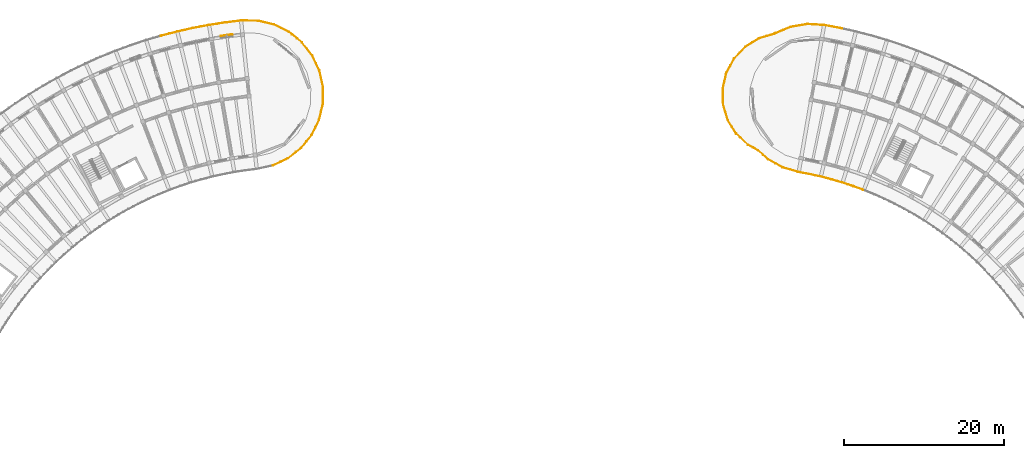
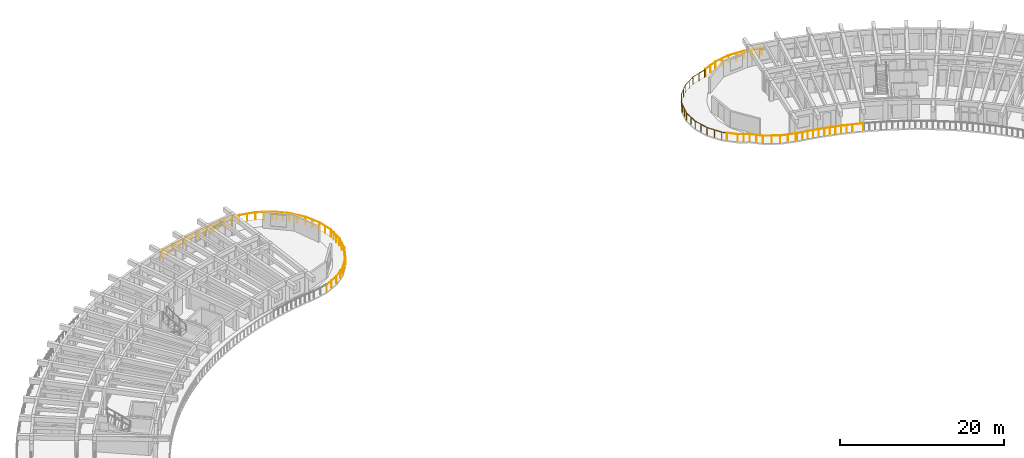
# One storey, part 75 of 83: 10 railings, 1 shading device.
"""IFC4 building model written with IfcOpenShell, lengths in metres."""

import ifcopenshell
import ifcopenshell.guid

model = None  # the IFC model being written
_history = None  # IfcOwnerHistory: only IFC2X3 demands one
_inside = {}  # id of a spatial element -> (the spatial element, [elements in it])
_under = {}  # id of a project, library or spatial element -> (it, [spatial elements below it])
_declared = {}  # id of a project -> (the project, [libraries it declares])
_typed = {}  # id of a type object -> (the type object, [elements of that type])
_made_of = {}  # id of a material, layer set ... -> (it, [elements and type objects made of it])


def new_model(schema):
    """Start an empty IFC model of exactly this schema.

    Asked for "IFC4X3", IfcOpenShell would pick the latest addendum, in which some entities
    have other attributes; the version numbers below select the first issue.
    IFC2X3 requires an IfcOwnerHistory on every rooted entity: one is made here for all.
    """
    global model, _history
    if schema == "IFC4X3":
        model = ifcopenshell.file(schema_version=(4, 3, 0, 0))
    else:
        model = ifcopenshell.file(schema=schema)
    _inside.clear()
    _under.clear()
    _declared.clear()
    _typed.clear()
    _made_of.clear()
    _history = None
    if model.schema == "IFC2X3":
        org = make("IfcOrganization", Name="unknown")
        user = make(
            "IfcPersonAndOrganization",
            ThePerson=make("IfcPerson", FamilyName="unknown"),
            TheOrganization=org,
        )
        app = make(
            "IfcApplication",
            ApplicationDeveloper=org,
            Version="unknown",
            ApplicationFullName="unknown",
            ApplicationIdentifier="unknown",
        )
        _history = make(
            "IfcOwnerHistory",
            OwningUser=user,
            OwningApplication=app,
            ChangeAction="ADDED",
            CreationDate=0,
        )
    return model


def make(cls, **values):
    """One entity of the class cls with the attributes given. An attribute that is None is left unset."""
    return model.create_entity(
        cls, **{name: value for name, value in values.items() if value is not None}
    )


def rooted(cls, **values):
    """An entity with a GlobalId (a new one), such as an element, a storey or a relation."""
    return make(cls, GlobalId=ifcopenshell.guid.new(), OwnerHistory=_history, **values)


def si_unit(unit_type, name, prefix=None):
    """IfcSIUnit, for example si_unit("LENGTHUNIT", "METRE", prefix="MILLI")."""
    return make("IfcSIUnit", UnitType=unit_type, Prefix=prefix, Name=name)


def assignment(units):
    """IfcUnitAssignment: the units of a project."""
    return None if units is None else make("IfcUnitAssignment", Units=units)


def point(xyz):
    """IfcCartesianPoint."""
    return None if xyz is None else make("IfcCartesianPoint", Coordinates=xyz)


def direction(xyz):
    """IfcDirection."""
    return None if xyz is None else make("IfcDirection", DirectionRatios=xyz)


def frame(location, z_axis=None, x_axis=None):
    """IfcAxis2Placement3D, a coordinate frame: its origin and axes. An axis left out is left unset."""
    return make(
        "IfcAxis2Placement3D",
        Location=point(location),
        Axis=direction(z_axis),
        RefDirection=direction(x_axis),
    )


def frame_2d(location, x_axis=None):
    """IfcAxis2Placement2D, a coordinate frame in the plane: its origin and x axis."""
    return make(
        "IfcAxis2Placement2D", Location=point(location), RefDirection=direction(x_axis)
    )


def origin():
    """The frame at (0, 0, 0) with its axes left unset."""
    return frame((0.0, 0.0, 0.0))


def origin_2d():
    """The frame at (0, 0) in the plane with its x axis left unset."""
    return frame_2d((0.0, 0.0))


def place(relative_to, where):
    """IfcLocalPlacement: puts the frame where relative to a parent placement (None: the world)."""
    return make(
        "IfcLocalPlacement", PlacementRelTo=relative_to, RelativePlacement=where
    )


def context(
    kind, dimensions, precision=None, world=None, true_north=None, identifier=None
):
    """IfcGeometricRepresentationContext, for example the 3D "Model" context."""
    return make(
        "IfcGeometricRepresentationContext",
        ContextIdentifier=identifier,
        ContextType=kind,
        CoordinateSpaceDimension=dimensions,
        Precision=precision,
        WorldCoordinateSystem=world,
        TrueNorth=true_north,
    )


def subcontext(parent, identifier, kind, view, scale=None):
    """IfcGeometricRepresentationSubContext, for example "Body" below "Model"."""
    return make(
        "IfcGeometricRepresentationSubContext",
        ContextIdentifier=identifier,
        ContextType=kind,
        ParentContext=parent,
        TargetScale=scale,
        TargetView=view,
    )


def project(units=None, contexts=None):
    """IfcProject with its units and contexts."""
    return rooted(
        "IfcProject",
        Name="project",
        RepresentationContexts=contexts,
        UnitsInContext=assignment(units),
    )


def spatial(cls, under=None, at=None, **own):
    """A site, building, storey or space (cls), placed at a placement, below another one or the project."""
    s = rooted(cls, ObjectPlacement=at, **own)
    if under is not None:
        _under.setdefault(under.id(), (under, []))[1].append(s)
    return s


def profile(cls, at=None, kind="AREA", **sizes):
    """A parametric profile (cls). Its sizes go by their IFC names, for example OverallWidth=200.0."""
    return make(cls, ProfileType=kind, Position=at, **sizes)


def rectangle(**sizes):
    """IfcRectangleProfileDef."""
    return profile("IfcRectangleProfileDef", **sizes)


def circle(**sizes):
    """IfcCircleProfileDef."""
    return profile("IfcCircleProfileDef", **sizes)


def extrude(swept, where, along, depth):
    """IfcExtrudedAreaSolid: the profile swept, set in the frame where, extruded along a direction by depth."""
    return make(
        "IfcExtrudedAreaSolid",
        SweptArea=swept,
        Position=where,
        ExtrudedDirection=direction(along),
        Depth=depth,
    )


def shape(context_of_items, identifier, shape_type, items):
    """IfcShapeRepresentation: the items that make up one representation, for example the "Body"."""
    return make(
        "IfcShapeRepresentation",
        ContextOfItems=context_of_items,
        RepresentationIdentifier=identifier,
        RepresentationType=shape_type,
        Items=items,
    )


def material(Name=None, Category=None):
    """IfcMaterial."""
    return make("IfcMaterial", Name=Name, Category=Category)


def layer(
    of_material, thickness, ventilated=None, Name=None, Category=None, Priority=None
):
    """IfcMaterialLayer: one layer of a wall or slab, of a material (None: an air gap)."""
    return make(
        "IfcMaterialLayer",
        Material=of_material,
        LayerThickness=thickness,
        IsVentilated=ventilated,
        Name=Name,
        Category=Category,
        Priority=Priority,
    )


def layer_set(layers, Name=None):
    """IfcMaterialLayerSet."""
    return make("IfcMaterialLayerSet", MaterialLayers=layers, LayerSetName=Name)


def made_of(thing, what):
    """Note that an element or type object is made of a material, layer set ...; save() writes the relation."""
    if what is not None:
        _made_of.setdefault(what.id(), (what, []))[1].append(thing)
    return thing


def type_object(cls, material=None, **own):
    """A type object (cls), such as IfcWallType, which elements share."""
    return made_of(rooted(cls, **own), material)


def element(
    cls,
    number,
    at=None,
    inside=None,
    cuts=None,
    type_object=None,
    material=None,
    context=None,
    identifier="Body",
    shape_type=None,
    held_by="IfcProductDefinitionShape",
    body=None,
    shapes=None,
    **own,
):
    """One element of the class cls, such as IfcWall. Its Tag is "e" and its number.

    at: its placement. inside: the storey or other place that contains it. cuts: it is an
    opening in that element (IfcRelVoidsElement). A single representation is given by context,
    identifier, shape_type and body (its items); several are given by shapes. held_by: the class
    of the entity that holds the representations. save() writes the other relations.
    """
    e = rooted(cls, Tag="e%d" % number, ObjectPlacement=at, **own)
    if body is not None:
        shapes = [shape(context, identifier, shape_type, body)]
    if shapes is not None:
        e.Representation = make(held_by, Representations=shapes)
    if inside is not None:
        _inside.setdefault(inside.id(), (inside, []))[1].append(e)
    if cuts is not None:
        rooted(
            "IfcRelVoidsElement", RelatingBuildingElement=cuts, RelatedOpeningElement=e
        )
    if type_object is not None:
        _typed.setdefault(type_object.id(), (type_object, []))[1].append(e)
    return made_of(e, material)


def aggregate(whole, parts):
    """IfcRelAggregates: a whole, such as a stair, and the parts it consists of."""
    return rooted("IfcRelAggregates", RelatingObject=whole, RelatedObjects=parts)


def save(model, path):
    """Write the relations noted so far, then the file.

    IfcRelAggregates (storeys below a building ...), IfcRelContainedInSpatialStructure (elements
    in a storey), IfcRelDefinesByType, IfcRelAssociatesMaterial and IfcRelDeclares: one each for
    every whole, place, type object, material and project.
    """
    for whole, parts in _under.values():
        aggregate(whole, parts)
    for where, things in _inside.values():
        rooted(
            "IfcRelContainedInSpatialStructure",
            RelatedElements=things,
            RelatingStructure=where,
        )
    for kind, things in _typed.values():
        rooted("IfcRelDefinesByType", RelatedObjects=things, RelatingType=kind)
    for what, things in _made_of.values():
        rooted("IfcRelAssociatesMaterial", RelatedObjects=things, RelatingMaterial=what)
    for by, libraries in _declared.values():
        rooted("IfcRelDeclares", RelatingContext=by, RelatedDefinitions=libraries)
    model.write(path)


model = new_model("IFC4")

# Units and contexts
model_context = context("Model", 3, precision=1e-05, world=origin(), true_north=direction((0.0, 1.0)))
body_context = subcontext(model_context, "Body", "Model", "MODEL_VIEW")
ifc_project = project(units=[si_unit("LENGTHUNIT", "METRE"), si_unit("AREAUNIT", "SQUARE_METRE"), si_unit("VOLUMEUNIT", "CUBIC_METRE"), si_unit("PLANEANGLEUNIT", "RADIAN"), si_unit("MASSUNIT", "GRAM", prefix="KILO")], contexts=[model_context])

# Site, building, storey
site_placement = place(None, origin())
site = spatial("IfcSite", under=ifc_project, at=site_placement, CompositionType="ELEMENT")
building_placement = place(site_placement, origin())
building = spatial("IfcBuilding", under=site, at=building_placement, Name="Tanwirah Colonnade Gardens", CompositionType="ELEMENT")
storey_placement = place(building_placement, frame((0.0, 0.0, 25.639892578125)))
storey = spatial("IfcBuildingStorey", under=building, at=storey_placement, Name="L07", CompositionType="ELEMENT", Elevation=25.639892578125)

# Railings
ifc_material_1 = material(Name="Precast concrete C40/50", Category="concrete")
railing_type = type_object("IfcRailingType", Name="BAL-EXT112", PredefinedType="BALUSTRADE", material=ifc_material_1)
railing_1_placement = place(storey_placement, frame((48.5546875, 119.271728515625, 0.0)))
element("IfcRailing", 1, at=railing_1_placement, inside=storey, type_object=railing_type, Name="Block A L07 Balcony Ribbon Balustrade 18", PredefinedType="BALUSTRADE", context=body_context, shape_type="SweptSolid", body=[
    extrude(circle(Radius=0.02392578125, at=origin_2d()), frame((0.030029296875, 0.0087890625, 1.09619140625), z_axis=(0.959430074946, 0.281946681644, 0.0), x_axis=(-0.281946681644, 0.959430074946, 0.0)), (0.0, 0.0, 1.0), 0.057861328125),
    extrude(circle(Radius=0.02392578125, at=origin_2d()), frame((0.145751953125, 0.041748046875, 1.09619140625), z_axis=(0.968157509899, 0.250341838346, 0.0), x_axis=(-0.250341838346, 0.968157509899, 0.0)), (0.0, 0.0, 1.0), 1.959228515625),
    extrude(circle(Radius=0.02392578125, at=origin_2d()), frame((2.103271484375, 0.546875, 1.09619140625), z_axis=(0.975867729966, 0.218362482151, 0.0), x_axis=(-0.218362482151, 0.975867729966, 0.0)), (0.0, 0.0, 1.0), 1.958984375),
    extrude(circle(Radius=0.02392578125, at=origin_2d()), frame((4.076171875, 0.9873046875, 1.09619140625), z_axis=(0.982549371225, 0.186001970705, 0.0), x_axis=(-0.186001970705, 0.982549371225, 0.0)), (0.0, 0.0, 1.0), 1.958740234375),
    extrude(circle(Radius=0.02392578125, at=origin_2d()), frame((6.0625, 1.3623046875, 1.09619140625), z_axis=(0.988130323653, 0.153617913919, 0.0), x_axis=(-0.153617913919, 0.988130323653, 0.0)), (0.0, 0.0, 1.0), 1.958984375),
    extrude(circle(Radius=0.02392578125, at=origin_2d()), frame((8.06005859375, 1.671630859375, 1.09619140625), z_axis=(0.992706670136, 0.120554830125, 0.0), x_axis=(-0.120554830125, 0.992706670136, 0.0)), (0.0, 0.0, 1.0), 0.231201171875),
    extrude(circle(Radius=0.02099609375, at=origin_2d()), origin(), (0.0, 0.0, 1.0), 1.069091796875),
    extrude(circle(Radius=0.02099609375, at=origin_2d()), frame((0.115478515625, 0.033935546875, 0.0)), (0.0, 0.0, 1.0), 1.069091796875),
    extrude(circle(Radius=0.02099609375, at=origin_2d()), frame((1.09423828125, 0.287109375, 0.0)), (0.0, 0.0, 1.0), 1.069091796875),
    extrude(circle(Radius=0.02099609375, at=origin_2d()), frame((2.07275390625, 0.5400390625, 0.0)), (0.0, 0.0, 1.0), 1.069091796875),
    extrude(circle(Radius=0.02099609375, at=origin_2d()), frame((3.05908203125, 0.7607421875, 0.0)), (0.0, 0.0, 1.0), 1.069091796875),
    extrude(circle(Radius=0.02099609375, at=origin_2d()), frame((4.04541015625, 0.9814453125, 0.0)), (0.0, 0.0, 1.0), 1.069091796875),
    extrude(circle(Radius=0.02099609375, at=origin_2d()), frame((5.03857421875, 1.16943359375, 0.0)), (0.0, 0.0, 1.0), 1.069091796875),
    extrude(circle(Radius=0.02099609375, at=origin_2d()), frame((6.031494140625, 1.357421875, 0.0)), (0.0, 0.0, 1.0), 1.069091796875),
    extrude(circle(Radius=0.02099609375, at=origin_2d()), frame((7.0302734375, 1.5126953125, 0.0)), (0.0, 0.0, 1.0), 1.069091796875),
    extrude(circle(Radius=0.02099609375, at=origin_2d()), frame((8.029052734375, 1.66796875, 0.0)), (0.0, 0.0, 1.0), 1.069091796875),
    extrude(circle(Radius=0.02099609375, at=origin_2d()), frame((8.320556640625, 1.703369140625, 0.0)), (0.0, 0.0, 1.0), 1.069091796875),
])
railing_2_placement = place(storey_placement, frame((56.875244140625, 120.97509765625, 0.0)))
element("IfcRailing", 2, at=railing_2_placement, inside=storey, type_object=railing_type, Name="Block A L07 Balcony Ribbon Balustrade 19", PredefinedType="BALUSTRADE", context=body_context, shape_type="SweptSolid", body=[
    extrude(circle(Radius=0.02392578125, at=origin_2d()), frame((0.031005859375, 0.003662109375, 1.09619140625), z_axis=(0.992658739514, 0.120948860543, 0.0), x_axis=(-0.120948860543, 0.992658739514, 0.0)), (0.0, 0.0, 1.0), 1.661376953125),
    extrude(circle(Radius=0.02392578125, at=origin_2d()), frame((1.742431640625, 0.208251953125, 1.09619140625), z_axis=(0.999972077233, -0.00747293472, 0.0), x_axis=(0.00747293472, 0.999972077233, 0.0)), (0.0, 0.0, 1.0), 2.0283203125),
    extrude(circle(Radius=0.02392578125, at=origin_2d()), frame((3.83251953125, 0.185791015625, 1.09619140625), z_axis=(0.973245052386, -0.229769597654, 0.0), x_axis=(0.229769597654, 0.973245052386, 0.0)), (0.0, 0.0, 1.0), 2.0244140625),
    extrude(circle(Radius=0.02392578125, at=origin_2d()), frame((5.861083984375, -0.30029296875, 1.09619140625), z_axis=(0.89767854763, -0.440650910727, 0.0), x_axis=(0.440650910727, 0.89767854763, 0.0)), (0.0, 0.0, 1.0), 2.024658203125),
    extrude(circle(Radius=0.02392578125, at=origin_2d()), frame((7.73095703125, -1.22607421875, 1.09619140625), z_axis=(0.777222634712, -0.62922569567, 0.0), x_axis=(0.62922569567, 0.777222634712, 0.0)), (0.0, 0.0, 1.0), 0.448974609375),
    extrude(circle(Radius=0.02099609375, at=origin_2d()), origin(), (0.0, 0.0, 1.0), 1.069091796875),
    extrude(circle(Radius=0.02099609375, at=origin_2d()), frame((0.85546875, 0.104248046875, 0.0)), (0.0, 0.0, 1.0), 1.069091796875),
    extrude(circle(Radius=0.02099609375, at=origin_2d()), frame((1.711181640625, 0.20849609375, 0.0)), (0.0, 0.0, 1.0), 1.069091796875),
    extrude(circle(Radius=0.02099609375, at=origin_2d()), frame((2.756591796875, 0.20068359375, 0.0)), (0.0, 0.0, 1.0), 1.069091796875),
    extrude(circle(Radius=0.02099609375, at=origin_2d()), frame((3.802001953125, 0.19287109375, 0.0)), (0.0, 0.0, 1.0), 1.069091796875),
    extrude(circle(Radius=0.02099609375, at=origin_2d()), frame((4.8173828125, -0.046875, 0.0)), (0.0, 0.0, 1.0), 1.069091796875),
    extrude(circle(Radius=0.02099609375, at=origin_2d()), frame((5.8330078125, -0.28662109375, 0.0)), (0.0, 0.0, 1.0), 1.069091796875),
    extrude(circle(Radius=0.02099609375, at=origin_2d()), frame((6.769775390625, -0.74658203125, 0.0)), (0.0, 0.0, 1.0), 1.069091796875),
    extrude(circle(Radius=0.02099609375, at=origin_2d()), frame((7.70654296875, -1.206298828125, 0.0)), (0.0, 0.0, 1.0), 1.069091796875),
    extrude(circle(Radius=0.02099609375, at=origin_2d()), frame((8.10400390625, -1.528076171875, 0.0)), (0.0, 0.0, 1.0), 1.069091796875),
])
railing_3_placement = place(storey_placement, frame((64.979248046875, 119.447021484375, 0.0)))
element("IfcRailing", 3, at=railing_3_placement, inside=storey, type_object=railing_type, Name="Block A L07 Balcony Ribbon Balustrade 20", PredefinedType="BALUSTRADE", context=body_context, shape_type="SweptSolid", body=[
    extrude(circle(Radius=0.02392578125, at=origin_2d()), frame((0.0244140625, -0.019775390625, 1.09619140625), z_axis=(0.777151033754, -0.629314127233, 0.0), x_axis=(0.629314127233, 0.777151033754, 0.0)), (0.0, 0.0, 1.0), 1.512939453125),
    extrude(circle(Radius=0.02392578125, at=origin_2d()), frame((1.24365234375, -1.01611328125, 1.09619140625), z_axis=(0.617578689713, -0.786509098493, 0.0), x_axis=(0.786509098493, 0.617578689713, 0.0)), (0.0, 0.0, 1.0), 2.0244140625),
    extrude(circle(Radius=0.02392578125, at=origin_2d()), frame((2.526611328125, -2.6611328125, 1.09619140625), z_axis=(0.427120558346, -0.904194685142, 0.0), x_axis=(0.904194685142, 0.427120558346, 0.0)), (0.0, 0.0, 1.0), 2.0244140625),
    extrude(circle(Radius=0.02392578125, at=origin_2d()), frame((3.411376953125, -4.55029296875, 1.09619140625), z_axis=(0.215270196259, -0.97655452618, 0.0), x_axis=(0.97655452618, 0.215270196259, 0.0)), (0.0, 0.0, 1.0), 2.024169921875),
    extrude(circle(Radius=0.02392578125, at=origin_2d()), frame((3.853515625, -6.5888671875, 1.09619140625), z_axis=(-0.007720358143, -0.999970197591, 0.0), x_axis=(0.999970197591, -0.007720358143, 0.0)), (0.0, 0.0, 1.0), 0.6015625),
    extrude(circle(Radius=0.02099609375, at=origin_2d()), origin(), (0.0, 0.0, 1.0), 1.069091796875),
    extrude(circle(Radius=0.02099609375, at=origin_2d()), frame((0.6123046875, -0.49560546875, 0.0)), (0.0, 0.0, 1.0), 1.069091796875),
    extrude(circle(Radius=0.02099609375, at=origin_2d()), frame((1.224365234375, -0.991455078125, 0.0)), (0.0, 0.0, 1.0), 1.069091796875),
    extrude(circle(Radius=0.02099609375, at=origin_2d()), frame((1.86865234375, -1.81201171875, 0.0)), (0.0, 0.0, 1.0), 1.069091796875),
    extrude(circle(Radius=0.02099609375, at=origin_2d()), frame((2.51318359375, -2.6328125, 0.0)), (0.0, 0.0, 1.0), 1.069091796875),
    extrude(circle(Radius=0.02099609375, at=origin_2d()), frame((2.958984375, -3.576171875, 0.0)), (0.0, 0.0, 1.0), 1.069091796875),
    extrude(circle(Radius=0.02099609375, at=origin_2d()), frame((3.404541015625, -4.519775390625, 0.0)), (0.0, 0.0, 1.0), 1.069091796875),
    extrude(circle(Radius=0.02099609375, at=origin_2d()), frame((3.629150390625, -5.53857421875, 0.0)), (0.0, 0.0, 1.0), 1.069091796875),
    extrude(circle(Radius=0.02099609375, at=origin_2d()), frame((3.853759765625, -6.5576171875, 0.0)), (0.0, 0.0, 1.0), 1.069091796875),
    extrude(circle(Radius=0.02099609375, at=origin_2d()), frame((3.8486328125, -7.2216796875, 0.0)), (0.0, 0.0, 1.0), 1.069091796875),
])
railing_4_placement = place(storey_placement, frame((68.827880859375, 112.225341796875, 0.0)))
element("IfcRailing", 4, at=railing_4_placement, inside=storey, type_object=railing_type, Name="Block A L07 Balcony Ribbon Balustrade 21", PredefinedType="BALUSTRADE", context=body_context, shape_type="SweptSolid", body=[
    extrude(circle(Radius=0.02392578125, at=origin_2d()), frame((-0.000244140625, -0.03125, 1.09619140625), z_axis=(-0.007377973514, -0.999972782383, 0.0), x_axis=(0.999972782383, -0.007377973514, 0.0)), (0.0, 0.0, 1.0), 1.3603515625),
    extrude(circle(Radius=0.02392578125, at=origin_2d()), frame((-0.017578125, -1.453369140625, 1.09619140625), z_axis=(-0.229769597654, -0.973245052386, 0.0), x_axis=(0.973245052386, -0.229769597654, 0.0)), (0.0, 0.0, 1.0), 2.0244140625),
    extrude(circle(Radius=0.02392578125, at=origin_2d()), frame((-0.503662109375, -3.48193359375, 1.09619140625), z_axis=(-0.440650910727, -0.89767854763, 0.0), x_axis=(0.89767854763, -0.440650910727, 0.0)), (0.0, 0.0, 1.0), 2.024658203125),
    extrude(circle(Radius=0.02392578125, at=origin_2d()), frame((-1.429443359375, -5.351806640625, 1.09619140625), z_axis=(-0.629292457571, -0.777168580711, 0.0), x_axis=(0.777168580711, -0.629292457571, 0.0)), (0.0, 0.0, 1.0), 2.0244140625),
    extrude(circle(Radius=0.02392578125, at=origin_2d()), frame((-2.74755859375, -6.968505859375, 1.09619140625), z_axis=(-0.786525843464, -0.617557363784, 0.0), x_axis=(0.617557363784, -0.786525843464, 0.0)), (0.0, 0.0, 1.0), 0.75390625),
    extrude(circle(Radius=0.02099609375, at=origin_2d()), origin(), (0.0, 0.0, 1.0), 1.069091796875),
    extrude(circle(Radius=0.02099609375, at=origin_2d()), frame((-0.00537109375, -0.71142578125, 0.0)), (0.0, 0.0, 1.0), 1.069091796875),
    extrude(circle(Radius=0.02099609375, at=origin_2d()), frame((-0.010498046875, -1.4228515625, 0.0)), (0.0, 0.0, 1.0), 1.069091796875),
    extrude(circle(Radius=0.02099609375, at=origin_2d()), frame((-0.250244140625, -2.4384765625, 0.0)), (0.0, 0.0, 1.0), 1.069091796875),
    extrude(circle(Radius=0.02099609375, at=origin_2d()), frame((-0.489990234375, -3.453857421875, 0.0)), (0.0, 0.0, 1.0), 1.069091796875),
    extrude(circle(Radius=0.02099609375, at=origin_2d()), frame((-0.94970703125, -4.390625, 0.0)), (0.0, 0.0, 1.0), 1.069091796875),
    extrude(circle(Radius=0.02099609375, at=origin_2d()), frame((-1.40966796875, -5.327392578125, 0.0)), (0.0, 0.0, 1.0), 1.069091796875),
    extrude(circle(Radius=0.02099609375, at=origin_2d()), frame((-2.06640625, -6.13818359375, 0.0)), (0.0, 0.0, 1.0), 1.069091796875),
    extrude(circle(Radius=0.02099609375, at=origin_2d()), frame((-2.722900390625, -6.94921875, 0.0)), (0.0, 0.0, 1.0), 1.069091796875),
    extrude(circle(Radius=0.02099609375, at=origin_2d()), frame((-3.364990234375, -7.453369140625, 0.0)), (0.0, 0.0, 1.0), 1.069091796875),
])
railing_5_placement = place(storey_placement, frame((65.462890625, 104.77197265625, 0.0)))
element("IfcRailing", 5, at=railing_5_placement, inside=storey, type_object=railing_type, Name="Block A L07 Balcony Ribbon Balustrade 22", PredefinedType="BALUSTRADE", context=body_context, shape_type="SweptSolid", body=[
    extrude(circle(Radius=0.02392578125, at=origin_2d()), frame((-0.024658203125, -0.019287109375, 1.09619140625), z_axis=(-0.786498338908, -0.617592392194, 0.0), x_axis=(0.617592392194, -0.786498338908, 0.0)), (0.0, 0.0, 1.0), 1.2080078125),
    extrude(circle(Radius=0.02392578125, at=origin_2d()), frame((-1.027587890625, -0.798095703125, 1.09619140625), z_axis=(-0.904194685142, -0.427120558346, 0.0), x_axis=(0.427120558346, -0.904194685142, 0.0)), (0.0, 0.0, 1.0), 2.0244140625),
    extrude(circle(Radius=0.02099609375, at=origin_2d()), origin(), (0.0, 0.0, 1.0), 1.069091796875),
    extrude(circle(Radius=0.02099609375, at=origin_2d()), frame((-0.999267578125, -0.78466796875, 0.0)), (0.0, 0.0, 1.0), 1.069091796875),
    extrude(circle(Radius=0.02099609375, at=origin_2d()), frame((-1.94287109375, -1.23046875, 0.0)), (0.0, 0.0, 1.0), 1.069091796875),
    extrude(circle(Radius=0.02099609375, at=origin_2d()), frame((-2.88623046875, -1.676025390625, 0.0)), (0.0, 0.0, 1.0), 1.069091796875),
])
railing_6_placement = place(storey_placement, frame((136.303955078125, 100.04052734375, 0.0)))
element("IfcRailing", 6, at=railing_6_placement, inside=storey, type_object=railing_type, Name="Block B L07 Balcony Ribbon Balustrade 6", PredefinedType="BALUSTRADE", context=body_context, shape_type="SweptSolid", body=[
    extrude(circle(Radius=0.02392578125, at=origin_2d()), frame((-0.029296875, 0.0107421875, 1.09619140625), z_axis=(-0.938686699639, 0.344771344403, 0.0), x_axis=(-0.344771344403, -0.938686699639, 0.0)), (0.0, 0.0, 1.0), 1.270263671875),
    extrude(circle(Radius=0.02392578125, at=origin_2d()), frame((-1.283447265625, 0.47021484375, 1.09619140625), z_axis=(-0.949531842797, 0.313670654533, 0.0), x_axis=(-0.313670654533, -0.949531842797, 0.0)), (0.0, 0.0, 1.0), 1.341552734375),
    extrude(circle(Radius=0.02392578125, at=origin_2d()), frame((-2.61962890625, 0.910400390625, 1.09619140625), z_axis=(-0.959362733044, 0.282175736812, 0.0), x_axis=(-0.282175736812, -0.959362733044, 0.0)), (0.0, 0.0, 1.0), 1.341796875),
    extrude(circle(Radius=0.02392578125, at=origin_2d()), frame((-3.9697265625, 1.306396484375, 1.09619140625), z_axis=(-0.968157809477, 0.250340679771, 0.0), x_axis=(-0.250340679771, -0.968157809477, 0.0)), (0.0, 0.0, 1.0), 1.341796875),
    extrude(circle(Radius=0.02392578125, at=origin_2d()), frame((-5.33203125, 1.65771484375, 1.09619140625), z_axis=(-0.975875211082, 0.218329046156, 0.0), x_axis=(-0.218329046156, -0.975875211082, 0.0)), (0.0, 0.0, 1.0), 1.342041015625),
    extrude(circle(Radius=0.02392578125, at=origin_2d()), frame((-6.705322265625, 1.9638671875, 1.09619140625), z_axis=(-0.982553032323, 0.185982630032, 0.0), x_axis=(-0.185982630032, -0.982553032323, 0.0)), (0.0, 0.0, 1.0), 1.338134765625),
    extrude(circle(Radius=0.02392578125, at=origin_2d()), frame((-8.080810546875, 2.227294921875, 1.09619140625), z_axis=(-0.960020095144, 0.279931093163, 0.0), x_axis=(-0.279931093163, -0.960020095144, 0.0)), (0.0, 0.0, 1.0), 0.073486328125),
    extrude(circle(Radius=0.02099609375, at=origin_2d()), origin(), (0.0, 0.0, 1.0), 1.069091796875),
    extrude(circle(Radius=0.02099609375, at=origin_2d()), frame((-1.2509765625, 0.45947265625, 0.0)), (0.0, 0.0, 1.0), 1.069091796875),
    extrude(circle(Radius=0.02099609375, at=origin_2d()), frame((-1.92041015625, 0.6806640625, 0.0)), (0.0, 0.0, 1.0), 1.069091796875),
    extrude(circle(Radius=0.02099609375, at=origin_2d()), frame((-2.5869140625, 0.90087890625, 0.0)), (0.0, 0.0, 1.0), 1.069091796875),
    extrude(circle(Radius=0.02099609375, at=origin_2d()), frame((-3.26318359375, 1.099609375, 0.0)), (0.0, 0.0, 1.0), 1.069091796875),
    extrude(circle(Radius=0.02099609375, at=origin_2d()), frame((-3.936767578125, 1.2978515625, 0.0)), (0.0, 0.0, 1.0), 1.069091796875),
    extrude(circle(Radius=0.02099609375, at=origin_2d()), frame((-4.619140625, 1.474365234375, 0.0)), (0.0, 0.0, 1.0), 1.069091796875),
    extrude(circle(Radius=0.02099609375, at=origin_2d()), frame((-5.299072265625, 1.650146484375, 0.0)), (0.0, 0.0, 1.0), 1.069091796875),
    extrude(circle(Radius=0.02099609375, at=origin_2d()), frame((-5.98681640625, 1.80419921875, 0.0)), (0.0, 0.0, 1.0), 1.069091796875),
    extrude(circle(Radius=0.02099609375, at=origin_2d()), frame((-6.672119140625, 1.95751953125, 0.0)), (0.0, 0.0, 1.0), 1.069091796875),
    extrude(circle(Radius=0.02099609375, at=origin_2d()), frame((-7.36279296875, 2.08837890625, 0.0)), (0.0, 0.0, 1.0), 1.069091796875),
    extrude(circle(Radius=0.02099609375, at=origin_2d()), frame((-8.05078125, 2.218505859375, 0.0)), (0.0, 0.0, 1.0), 1.069091796875),
    extrude(circle(Radius=0.02099609375, at=origin_2d()), frame((-8.181396484375, 2.256591796875, 0.0)), (0.0, 0.0, 1.0), 1.069091796875),
])
railing_7_placement = place(storey_placement, frame((128.12255859375, 102.297119140625, 0.0)))
element("IfcRailing", 7, at=railing_7_placement, inside=storey, type_object=railing_type, Name="Block B L07 Balcony Ribbon Balustrade 7", PredefinedType="BALUSTRADE", context=body_context, shape_type="SweptSolid", body=[
    extrude(circle(Radius=0.02392578125, at=origin_2d()), frame((-0.030029296875, 0.0087890625, 1.09619140625), z_axis=(-0.960261010219, 0.279103551131, 0.0), x_axis=(-0.279103551131, -0.960261010219, 0.0)), (0.0, 0.0, 1.0), 1.893310546875),
    extrude(circle(Radius=0.02392578125, at=origin_2d()), frame((-1.905517578125, 0.56103515625, 1.09619140625), z_axis=(-0.874113127166, 0.485722390791, 0.0), x_axis=(-0.485722390791, -0.874113127166, 0.0)), (0.0, 0.0, 1.0), 2.0244140625),
    extrude(circle(Radius=0.02392578125, at=origin_2d()), frame((-3.7255859375, 1.58056640625, 1.09619140625), z_axis=(-0.744056119377, 0.668117123877, 0.0), x_axis=(-0.668117123877, -0.744056119377, 0.0)), (0.0, 0.0, 1.0), 1.609375),
    extrude(circle(Radius=0.02392578125, at=origin_2d()), frame((-4.989013671875, 2.7021484375, 1.09619140625), z_axis=(-0.878796441222, 0.477196830349, 0.0), x_axis=(-0.477196830349, -0.878796441222, 0.0)), (0.0, 0.0, 1.0), 1.37451171875),
    extrude(circle(Radius=0.02392578125, at=origin_2d()), frame((-6.2470703125, 3.39453125, 1.09619140625), z_axis=(-0.725407281668, 0.688319893438, 0.0), x_axis=(-0.688319893438, -0.725407281668, 0.0)), (0.0, 0.0, 1.0), 1.26708984375),
    extrude(circle(Radius=0.02099609375, at=origin_2d()), origin(), (0.0, 0.0, 1.0), 1.069091796875),
    extrude(circle(Radius=0.02099609375, at=origin_2d()), frame((-0.93896484375, 0.27294921875, 0.0)), (0.0, 0.0, 1.0), 1.069091796875),
    extrude(circle(Radius=0.02099609375, at=origin_2d()), frame((-1.878173828125, 0.5458984375, 0.0)), (0.0, 0.0, 1.0), 1.069091796875),
    extrude(circle(Radius=0.02099609375, at=origin_2d()), frame((-2.790283203125, 1.052734375, 0.0)), (0.0, 0.0, 1.0), 1.069091796875),
    extrude(circle(Radius=0.02099609375, at=origin_2d()), frame((-3.702392578125, 1.5595703125, 0.0)), (0.0, 0.0, 1.0), 1.069091796875),
    extrude(circle(Radius=0.02099609375, at=origin_2d()), frame((-4.32421875, 2.1181640625, 0.0)), (0.0, 0.0, 1.0), 1.069091796875),
    extrude(circle(Radius=0.02099609375, at=origin_2d()), frame((-4.9462890625, 2.676513671875, 0.0)), (0.0, 0.0, 1.0), 1.069091796875),
    extrude(circle(Radius=0.02099609375, at=origin_2d()), frame((-5.5927734375, 3.0302734375, 0.0)), (0.0, 0.0, 1.0), 1.069091796875),
    extrude(circle(Radius=0.02099609375, at=origin_2d()), frame((-6.224365234375, 3.373046875, 0.0)), (0.0, 0.0, 1.0), 1.069091796875),
    extrude(circle(Radius=0.02099609375, at=origin_2d()), frame((-7.18896484375, 4.288330078125, 0.0)), (0.0, 0.0, 1.0), 1.069091796875),
])
railing_8_placement = place(storey_placement, frame((120.93359375, 106.58544921875, 0.0)))
element("IfcRailing", 8, at=railing_8_placement, inside=storey, type_object=railing_type, Name="Block B L07 Balcony Ribbon Balustrade 8", PredefinedType="BALUSTRADE", context=body_context, shape_type="SweptSolid", body=[
    extrude(circle(Radius=0.02392578125, at=origin_2d()), frame((-0.022705078125, 0.021484375, 1.09619140625), z_axis=(-0.725390712041, 0.688337355433, 0.0), x_axis=(-0.688337355433, -0.725390712041, 0.0)), (0.0, 0.0, 1.0), 0.622802734375),
    extrude(circle(Radius=0.02392578125, at=origin_2d()), frame((-0.513427734375, 0.498291015625, 1.09619140625), z_axis=(-0.522508081293, 0.852634332515, 0.0), x_axis=(-0.852634332515, -0.522508081293, 0.0)), (0.0, 0.0, 1.0), 1.95263671875),
    extrude(circle(Radius=0.02392578125, at=origin_2d()), frame((-1.558837890625, 2.219970703125, 1.09619140625), z_axis=(-0.283989325662, 0.958827441676, 0.0), x_axis=(-0.958827441676, -0.283989325662, 0.0)), (0.0, 0.0, 1.0), 1.95263671875),
    extrude(circle(Radius=0.02392578125, at=origin_2d()), frame((-2.123046875, 4.1533203125, 1.09619140625), z_axis=(-0.026169679227, 0.999657515297, 0.0), x_axis=(-0.999657515297, -0.026169679227, 0.0)), (0.0, 0.0, 1.0), 1.95263671875),
    extrude(circle(Radius=0.02392578125, at=origin_2d()), frame((-2.167724609375, 6.1669921875, 1.09619140625), z_axis=(0.233336420137, 0.972396069016, 0.0), x_axis=(-0.972396069016, 0.233336420137, 0.0)), (0.0, 0.0, 1.0), 1.706787109375),
    extrude(circle(Radius=0.02099609375, at=origin_2d()), origin(), (0.0, 0.0, 1.0), 1.069091796875),
    extrude(circle(Radius=0.02099609375, at=origin_2d()), frame((-0.4970703125, 0.4716796875, 0.0)), (0.0, 0.0, 1.0), 1.069091796875),
    extrude(circle(Radius=0.02099609375, at=origin_2d()), frame((-1.0234375, 1.330810546875, 0.0)), (0.0, 0.0, 1.0), 1.069091796875),
    extrude(circle(Radius=0.02099609375, at=origin_2d()), frame((-1.550048828125, 2.18994140625, 0.0)), (0.0, 0.0, 1.0), 1.069091796875),
    extrude(circle(Radius=0.02099609375, at=origin_2d()), frame((-1.836181640625, 3.156005859375, 0.0)), (0.0, 0.0, 1.0), 1.069091796875),
    extrude(circle(Radius=0.02099609375, at=origin_2d()), frame((-2.122314453125, 4.1220703125, 0.0)), (0.0, 0.0, 1.0), 1.069091796875),
    extrude(circle(Radius=0.02099609375, at=origin_2d()), frame((-2.148681640625, 5.12939453125, 0.0)), (0.0, 0.0, 1.0), 1.069091796875),
    extrude(circle(Radius=0.02099609375, at=origin_2d()), frame((-2.175048828125, 6.136474609375, 0.0)), (0.0, 0.0, 1.0), 1.069091796875),
    extrude(circle(Radius=0.02099609375, at=origin_2d()), frame((-1.96875, 6.99658203125, 0.0)), (0.0, 0.0, 1.0), 1.069091796875),
    extrude(circle(Radius=0.02099609375, at=origin_2d()), frame((-1.76220703125, 7.85693359375, 0.0)), (0.0, 0.0, 1.0), 1.069091796875),
])
railing_9_placement = place(storey_placement, frame((119.17138671875, 114.4423828125, 0.0)))
element("IfcRailing", 9, at=railing_9_placement, inside=storey, type_object=railing_type, Name="Block B L07 Balcony Ribbon Balustrade 9", PredefinedType="BALUSTRADE", context=body_context, shape_type="SweptSolid", body=[
    extrude(circle(Radius=0.02392578125, at=origin_2d()), frame((0.00732421875, 0.030517578125, 1.09619140625), z_axis=(0.233410517969, 0.972378285495, 0.0), x_axis=(-0.972378285495, 0.233410517969, 0.0)), (0.0, 0.0, 1.0), 0.183349609375),
    extrude(circle(Radius=0.02392578125, at=origin_2d()), frame((0.072265625, 0.2666015625, 1.09619140625), z_axis=(0.47719612499, 0.87879682424, 0.0), x_axis=(-0.87879682424, 0.47719612499, 0.0)), (0.0, 0.0, 1.0), 1.95263671875),
    extrude(circle(Radius=0.02392578125, at=origin_2d()), frame((1.04052734375, 2.03271484375, 1.09619140625), z_axis=(0.688389580677, 0.725341150918, 0.0), x_axis=(-0.725341150918, 0.688389580677, 0.0)), (0.0, 0.0, 1.0), 1.95263671875),
    extrude(circle(Radius=0.02392578125, at=origin_2d()), frame((2.432861328125, 3.488037109375, 1.09619140625), z_axis=(0.852601252411, 0.522562057929, 0.0), x_axis=(-0.522562057929, 0.852601252411, 0.0)), (0.0, 0.0, 1.0), 1.952392578125),
    extrude(circle(Radius=0.02392578125, at=origin_2d()), frame((4.154296875, 4.533447265625, 1.09619140625), z_axis=(0.958833412567, 0.283969165484, 0.0), x_axis=(-0.283969165484, 0.958833412567, 0.0)), (0.0, 0.0, 1.0), 1.96044921875),
    extrude(circle(Radius=0.02392578125, at=origin_2d()), frame((6.113037109375, 5.128662109375, 1.09619140625), z_axis=(0.817431277233, 0.576026133957, 0.0), x_axis=(-0.576026133957, 0.817431277233, 0.0)), (0.0, 0.0, 1.0), 0.03955078125),
    extrude(circle(Radius=0.02099609375, at=origin_2d()), origin(), (0.0, 0.0, 1.0), 1.069091796875),
    extrude(circle(Radius=0.02099609375, at=origin_2d()), frame((0.057373046875, 0.239013671875, 0.0)), (0.0, 0.0, 1.0), 1.069091796875),
    extrude(circle(Radius=0.02099609375, at=origin_2d()), frame((0.5380859375, 1.12451171875, 0.0)), (0.0, 0.0, 1.0), 1.069091796875),
    extrude(circle(Radius=0.02099609375, at=origin_2d()), frame((1.01904296875, 2.010009765625, 0.0)), (0.0, 0.0, 1.0), 1.069091796875),
    extrude(circle(Radius=0.02099609375, at=origin_2d()), frame((1.712646484375, 2.74072265625, 0.0)), (0.0, 0.0, 1.0), 1.069091796875),
    extrude(circle(Radius=0.02099609375, at=origin_2d()), frame((2.40625, 3.4716796875, 0.0)), (0.0, 0.0, 1.0), 1.069091796875),
    extrude(circle(Radius=0.02099609375, at=origin_2d()), frame((3.26513671875, 3.998046875, 0.0)), (0.0, 0.0, 1.0), 1.069091796875),
    extrude(circle(Radius=0.02099609375, at=origin_2d()), frame((4.124267578125, 4.524658203125, 0.0)), (0.0, 0.0, 1.0), 1.069091796875),
    extrude(circle(Radius=0.02099609375, at=origin_2d()), frame((5.09423828125, 4.81201171875, 0.0)), (0.0, 0.0, 1.0), 1.069091796875),
    extrude(circle(Radius=0.02099609375, at=origin_2d()), frame((6.06396484375, 5.09912109375, 0.0)), (0.0, 0.0, 1.0), 1.069091796875),
    extrude(circle(Radius=0.02099609375, at=origin_2d()), frame((6.1708984375, 5.16943359375, 0.0)), (0.0, 0.0, 1.0), 1.069091796875),
])
railing_10_placement = place(storey_placement, frame((125.395263671875, 119.6337890625, 0.0)))
element("IfcRailing", 10, at=railing_10_placement, inside=storey, type_object=railing_type, Name="Block B L07 Balcony Ribbon Balustrade 10", PredefinedType="BALUSTRADE", context=body_context, shape_type="SweptSolid", body=[
    extrude(circle(Radius=0.02392578125, at=origin_2d()), frame((0.02880859375, 0.011962890625, 1.09619140625), z_axis=(0.924790163058, 0.380477534567, 0.0), x_axis=(-0.380477534567, 0.924790163058, 0.0)), (0.0, 0.0, 1.0), 1.967041015625),
    extrude(circle(Radius=0.02392578125, at=origin_2d()), frame((1.90771484375, 0.77734375, 1.09619140625), z_axis=(0.986260797802, 0.165195758778, 0.0), x_axis=(-0.165195758778, 0.986260797802, 0.0)), (0.0, 0.0, 1.0), 2.024169921875),
    extrude(circle(Radius=0.02392578125, at=origin_2d()), frame((3.96630859375, 1.115234375, 1.09619140625), z_axis=(0.998287234372, -0.058502971625, 0.0), x_axis=(0.058502971625, 0.998287234372, 0.0)), (0.0, 0.0, 1.0), 2.0283203125),
    extrude(circle(Radius=0.02392578125, at=origin_2d()), frame((6.052978515625, 0.98876953125, 1.09619140625), z_axis=(0.982552918565, -0.185983231014, 0.0), x_axis=(0.185983231014, 0.982552918565, 0.0)), (0.0, 0.0, 1.0), 1.955078125),
    extrude(circle(Radius=0.02392578125, at=origin_2d()), frame((8.03515625, 0.612548828125, 1.09619140625), z_axis=(0.975893928024, -0.218245369358, 0.0), x_axis=(0.218245369358, 0.975893928024, 0.0)), (0.0, 0.0, 1.0), 0.212646484375),
    extrude(circle(Radius=0.02099609375, at=origin_2d()), origin(), (0.0, 0.0, 1.0), 1.069091796875),
    extrude(circle(Radius=0.02099609375, at=origin_2d()), frame((0.9384765625, 0.38623046875, 0.0)), (0.0, 0.0, 1.0), 1.069091796875),
    extrude(circle(Radius=0.02099609375, at=origin_2d()), frame((1.876953125, 0.772216796875, 0.0)), (0.0, 0.0, 1.0), 1.069091796875),
    extrude(circle(Radius=0.02099609375, at=origin_2d()), frame((2.906005859375, 0.944580078125, 0.0)), (0.0, 0.0, 1.0), 1.069091796875),
    extrude(circle(Radius=0.02099609375, at=origin_2d()), frame((3.93505859375, 1.116943359375, 0.0)), (0.0, 0.0, 1.0), 1.069091796875),
    extrude(circle(Radius=0.02099609375, at=origin_2d()), frame((4.978515625, 1.0556640625, 0.0)), (0.0, 0.0, 1.0), 1.069091796875),
    extrude(circle(Radius=0.02099609375, at=origin_2d()), frame((6.022216796875, 0.99462890625, 0.0)), (0.0, 0.0, 1.0), 1.069091796875),
    extrude(circle(Radius=0.02099609375, at=origin_2d()), frame((7.013427734375, 0.80712890625, 0.0)), (0.0, 0.0, 1.0), 1.069091796875),
    extrude(circle(Radius=0.02099609375, at=origin_2d()), frame((8.004638671875, 0.619384765625, 0.0)), (0.0, 0.0, 1.0), 1.069091796875),
    extrude(circle(Radius=0.02099609375, at=origin_2d()), frame((8.273193359375, 0.559326171875, 0.0)), (0.0, 0.0, 1.0), 1.069091796875),
])

# Shading device
ifc_material_2 = material(Name="Perforated architectural bronze aluminium", Category="aluminium")
ifc_layer = layer(ifc_material_2, 0.050048828125)
ifc_layer_set = layer_set([ifc_layer], Name="Perforated architectural bronze aluminium")
shading_device_type = type_object("IfcShadingDeviceType", Name="SHD-OVH1", PredefinedType="SHUTTER", material=ifc_layer_set)
shading_device_placement = place(storey_placement, frame((56.771484375, 119.36572265625, 1.88525390625), z_axis=(0.0, 0.0, 1.0), x_axis=(-0.990536309848, -0.137250933957, 0.0)))
element("IfcShadingDevice", 11, at=shading_device_placement, inside=storey, type_object=shading_device_type, Name="Solar shading louver hood A-L07-00", PredefinedType="SHUTTER", context=body_context, shape_type="SweptSolid", body=[
    extrude(rectangle(XDim=1.5, YDim=0.06005859375, at=origin_2d()), origin(), (0.0, 0.0, 1.0), 0.449951171875),
])

save(model, "model.ifc")
